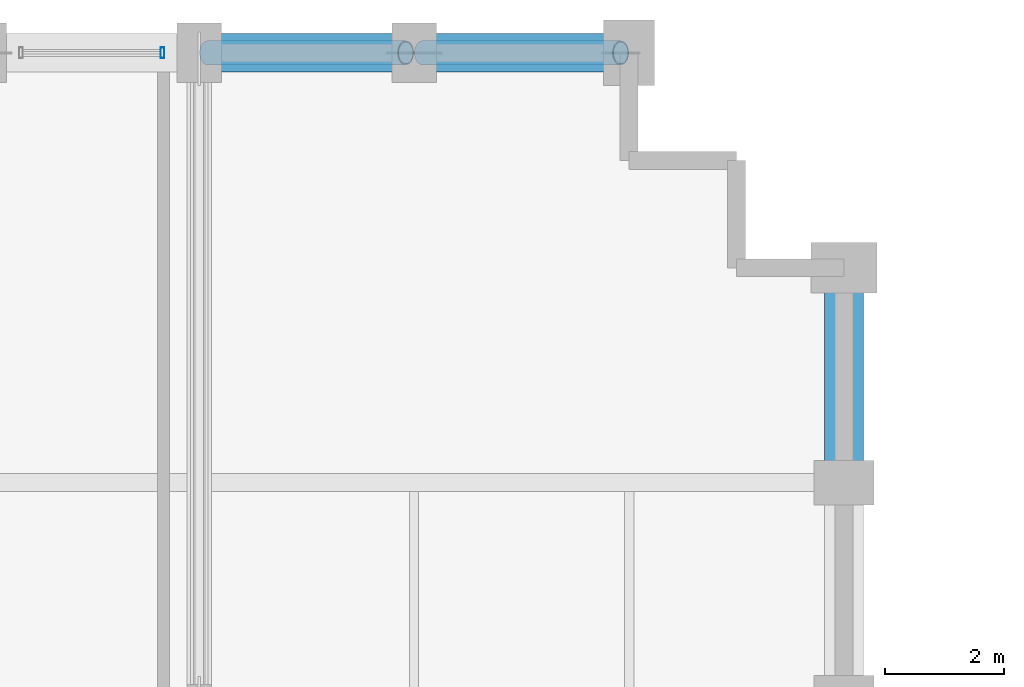
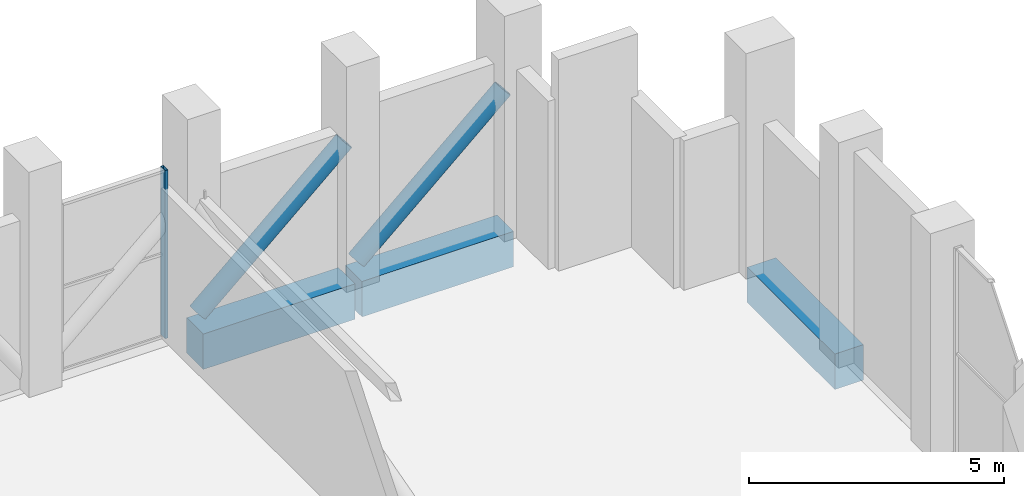
# One storey, part 13 of 19: 3 beams, 3 members, 1 element without a shape of its own.
"""IFC4 building model written with IfcOpenShell, lengths in metres."""

from ifc_helpers import new_model, si_unit, direction, frame, origin, origin_2d, place, context, subcontext, project, spatial, rectangle, hollow_rectangle, hollow_circle, extrude, material, layer, layer_set, material_profile, profile_set, type_object, element, aggregate, save


model = new_model("IFC4")

# Units and contexts
model_context = context("Model", 3, precision=1e-05, world=origin(), true_north=direction((0.0, 1.0)))
body_context = subcontext(model_context, "Body", "Model", "MODEL_VIEW")
ifc_project = project(units=[si_unit("LENGTHUNIT", "METRE"), si_unit("AREAUNIT", "SQUARE_METRE"), si_unit("VOLUMEUNIT", "CUBIC_METRE"), si_unit("PLANEANGLEUNIT", "RADIAN"), si_unit("MASSUNIT", "GRAM", prefix="KILO")], contexts=[model_context])

# Site, building, storey
site_placement = place(None, origin())
site = spatial("IfcSite", under=ifc_project, at=site_placement, CompositionType="ELEMENT")
building_placement = place(site_placement, origin())
building = spatial("IfcBuilding", under=site, at=building_placement, Name="Solnavia Interchange Tower", CompositionType="ELEMENT")
storey_placement = place(building_placement, frame((0.0, 0.0, 169.39990234375)))
storey = spatial("IfcBuildingStorey", under=building, at=storey_placement, Name="L42", CompositionType="ELEMENT", Elevation=169.39990234375)

# Beams
ifc_material_1 = material(Name="Concrete C50/60", Category="concrete")
ifc_material_profile_1 = material_profile(ifc_material_1, rectangle(XDim=0.64990234375, YDim=0.85009765625, at=origin_2d()), Name="RC 650x850")
ifc_profile_set_1 = profile_set([ifc_material_profile_1], Name="Concrete C50/60")
beam_type = type_object("IfcBeamType", Name="Beam-Spandrel-RC650x850", PredefinedType="SPANDREL", material=ifc_profile_set_1)
beam_1_placement = place(storey_placement, frame((28.800048828125, 36.080078125, -0.4248046875), z_axis=(0.0, 1.0, 0.0), x_axis=(-1.0, 0.0, 0.0)))
element("IfcBeam", 1, at=beam_1_placement, inside=storey, type_object=beam_type, Name="SPB-L42-27 Framed-tube perimeter spandrel beam", PredefinedType="SPANDREL", context=body_context, shape_type="SweptSolid", body=[
    extrude(rectangle(XDim=0.64990234375, YDim=0.85009765625, at=origin_2d()), origin(), (0.0, 0.0, 1.0), 3.43994140625),
])
beam_2_placement = place(storey_placement, frame((25.1201171875, 43.199951171875, -0.4248046875), z_axis=(-1.0, 0.0, 0.0), x_axis=(0.0, -1.0, 0.0)))
element("IfcBeam", 2, at=beam_2_placement, inside=storey, type_object=beam_type, Name="SPB-L42-28 Framed-tube perimeter spandrel beam", PredefinedType="SPANDREL", context=body_context, shape_type="SweptSolid", body=[
    extrude(rectangle(XDim=0.64990234375, YDim=0.85009765625, at=origin_2d()), origin(), (0.0, 0.0, 1.0), 3.440185546875),
])
beam_3_placement = place(storey_placement, frame((21.52001953125, 43.199951171875, -0.4248046875), z_axis=(-1.0, 0.0, 0.0), x_axis=(0.0, -1.0, 0.0)))
element("IfcBeam", 3, at=beam_3_placement, inside=storey, type_object=beam_type, Name="SPB-L42-29 Framed-tube perimeter spandrel beam", PredefinedType="SPANDREL", context=body_context, shape_type="SweptSolid", body=[
    extrude(rectangle(XDim=0.64990234375, YDim=0.85009765625, at=origin_2d()), origin(), (0.0, 0.0, 1.0), 3.43994140625),
])

# Curtain wall, member
ifc_material_2 = material(Name="Aluminium Alloy 6063-T6", Category="aluminium")
ifc_layer = layer(ifc_material_2, 0.199951171875)
ifc_layer_set = layer_set([ifc_layer], Name="Aluminium Alloy 6063-T6")
curtain_wall_type = type_object("IfcCurtainWallType", Name="CurtainWall-Louvre-CTW5", PredefinedType="NOTDEFINED", material=ifc_layer_set)
curtain_wall_placement = place(storey_placement, origin())
curtain_wall = element("IfcCurtainWall", 4, at=curtain_wall_placement, inside=storey, type_object=curtain_wall_type, Name="CTW-L42-L36 CTW-5 curtain wall", PredefinedType="NOTDEFINED")
ifc_material_profile_2 = material_profile(ifc_material_2, hollow_rectangle(XDim=0.06494140625, YDim=0.179931640625, WallThickness=0.00439453125, at=origin_2d()), Name="ALU 180x65x4.5")
ifc_profile_set_2 = profile_set([ifc_material_profile_2], Name="Aluminium Alloy 6063-T6")
member_type_1 = type_object("IfcMemberType", Name="CW-Mullion-CWM-5", PredefinedType="MULLION", material=ifc_profile_set_2)
member_placement = place(storey_placement, frame((17.385009765625, 43.199951171875, 0.0), z_axis=(0.0, 0.0, 1.0), x_axis=(-1.0, 0.0, 0.0)))
member = element("IfcMember", 5, at=member_placement, type_object=member_type_1, Name="CTW-5 mullion 1", PredefinedType="MULLION", context=body_context, shape_type="SweptSolid", body=[
    extrude(hollow_rectangle(XDim=0.06494140625, YDim=0.179931640625, WallThickness=0.00439453125, at=origin_2d()), origin(), (0.0, 0.0, 1.0), 4.030029296875),
])
aggregate(curtain_wall, [member])

# Members
ifc_material_3 = material(Name="Steel S460", Category="steel")
ifc_material_profile_3 = material_profile(ifc_material_3, hollow_circle(Radius=0.203125, WallThickness=0.02001953125, at=origin_2d()), Name="CHS 406.4x20")
ifc_profile_set_3 = profile_set([ifc_material_profile_3], Name="Steel S460")
member_type_2 = type_object("IfcMemberType", Name="Outrigger-Diag-CHS406", PredefinedType="BRACE", material=ifc_profile_set_3)
for number, where, z_axis, x_axis, name in (
    (6, (18.139892578125, 43.199951171875, 0.300048828125), (0.747545781752, 0.0, 0.664210286118), (0.0, 1.0, 0.0), "OTR-L42-BT11 Belt truss diagonal"),
    (7, (21.739990234375, 43.199951171875, 0.300048828125), (0.747545781752, 0.0, 0.664210286118), (0.0, 1.0, 0.0), "OTR-L42-BT12 Belt truss diagonal"),
):
    element("IfcMember", number, at=place(storey_placement, frame(where, z_axis=z_axis, x_axis=x_axis)), inside=storey, type_object=member_type_2, Name=name, PredefinedType="BRACE", context=body_context, shape_type="SweptSolid", body=[
        extrude(hollow_circle(Radius=0.203125, WallThickness=0.02001953125, at=origin_2d()), origin(), (0.0, 0.0, 1.0), 4.44140625),
    ])

save(model, "model.ifc")
